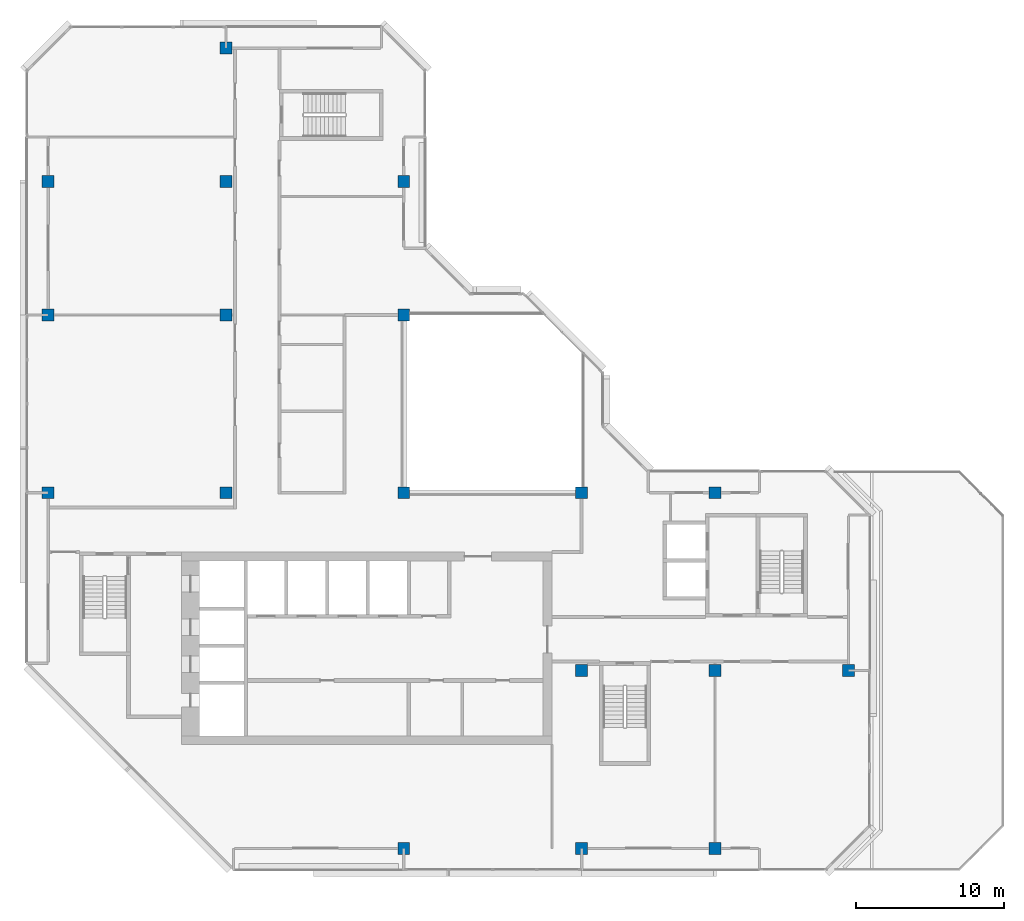
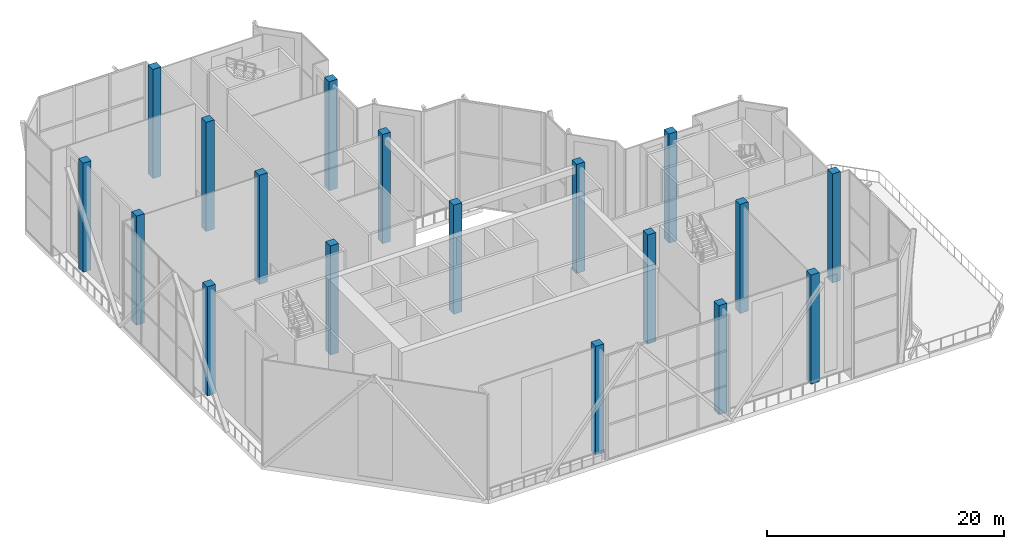
# One storey, part 1 of 16: 18 columns.
"""IFC4 building model written with IfcOpenShell, lengths in metres."""

from ifc_helpers import new_model, si_unit, direction, frame, origin, origin_2d, place, context, subcontext, project, spatial, rectangle, extrude, material, material_profile, profile_set, type_object, element, save


model = new_model("IFC4")

# Units and contexts
model_context = context("Model", 3, precision=1e-05, world=origin(), true_north=direction((0.0, 1.0)))
body_context = subcontext(model_context, "Body", "Model", "MODEL_VIEW")
ifc_project = project(units=[si_unit("LENGTHUNIT", "METRE"), si_unit("AREAUNIT", "SQUARE_METRE"), si_unit("VOLUMEUNIT", "CUBIC_METRE"), si_unit("PLANEANGLEUNIT", "RADIAN"), si_unit("MASSUNIT", "GRAM", prefix="KILO")], contexts=[model_context])

# Site, building, storey
site_placement = place(None, origin())
site = spatial("IfcSite", under=ifc_project, at=site_placement, CompositionType="ELEMENT")
building_placement = place(site_placement, origin())
building = spatial("IfcBuilding", under=site, at=building_placement, Name="Chenar Terraces", CompositionType="ELEMENT")
storey_placement = place(building_placement, frame((0.0, 0.0, 327.64990234375)))
storey = spatial("IfcBuildingStorey", under=building, at=storey_placement, Name="L77", CompositionType="ELEMENT", Elevation=327.64990234375)

# Columns
ifc_material = material(Name="Concrete C50/60", Category="concrete")
ifc_material_profile = material_profile(ifc_material, rectangle(XDim=0.800048828125, YDim=0.800048828125, at=origin_2d()), Name="C 800 x 800")
ifc_profile_set = profile_set([ifc_material_profile], Name="Concrete C50/60")
column_type = type_object("IfcColumnType", Name="Column C 800 x 800 Concrete C50/60", PredefinedType="COLUMN", material=ifc_profile_set)
column_1_placement = place(storey_placement, frame((0.0, 24.0, 0.0), z_axis=(0.0, 0.0, 1.0), x_axis=(1.0, 0.0, 0.0)))
element("IfcColumn", 1, at=column_1_placement, inside=storey, type_object=column_type, Name="Column 5/G L77", PredefinedType="COLUMN", context=body_context, shape_type="SweptSolid", body=[
    extrude(rectangle(XDim=0.800048828125, YDim=0.800048828125, at=origin_2d()), origin(), (0.0, 0.0, 1.0), 11.25),
])
column_2_placement = place(storey_placement, frame((0.0, 36.0, 0.0), z_axis=(0.0, 0.0, 1.0), x_axis=(1.0, 0.0, 0.0)))
element("IfcColumn", 2, at=column_2_placement, inside=storey, type_object=column_type, Name="Column 5/H L77", PredefinedType="COLUMN", context=body_context, shape_type="SweptSolid", body=[
    extrude(rectangle(XDim=0.800048828125, YDim=0.800048828125, at=origin_2d()), origin(), (0.0, 0.0, 1.0), 11.25),
])
for number, where, z_axis, x_axis, name in (
    (3, (0.0, 45.0, 0.0), (0.0, 0.0, 1.0), (1.0, 0.0, 0.0), "Column 5/J L77"),
    (4, (12.0, 24.0, 0.0), (0.0, 0.0, 1.0), (1.0, 0.0, 0.0), "Column 6/G L77"),
    (5, (12.0, 36.0, 0.0), (0.0, 0.0, 1.0), (1.0, 0.0, 0.0), "Column 6/H L77"),
    (6, (12.0, 45.0, 0.0), (0.0, 0.0, 1.0), (1.0, 0.0, 0.0), "Column 6/J L77"),
    (7, (12.0, 54.0, 0.0), (0.0, 0.0, 1.0), (1.0, 0.0, 0.0), "Column 6/K L77"),
    (8, (24.0, 0.0, 0.0), (0.0, 0.0, 1.0), (1.0, 0.0, 0.0), "Column 7/E L77"),
    (9, (24.0, 24.0, 0.0), (0.0, 0.0, 1.0), (1.0, 0.0, 0.0), "Column 7/G L77"),
    (10, (24.0, 36.0, 0.0), (0.0, 0.0, 1.0), (1.0, 0.0, 0.0), "Column 7/H L77"),
    (11, (24.0, 45.0, 0.0), (0.0, 0.0, 1.0), (1.0, 0.0, 0.0), "Column 7/J L77"),
    (12, (36.0, 0.0, 0.0), (0.0, 0.0, 1.0), (1.0, 0.0, 0.0), "Column 8/E L77"),
    (13, (36.0, 12.0, 0.0), (0.0, 0.0, 1.0), (1.0, 0.0, 0.0), "Column 8/F L77"),
    (14, (36.0, 24.0, 0.0), (0.0, 0.0, 1.0), (1.0, 0.0, 0.0), "Column 8/G L77"),
    (15, (45.0, 0.0, 0.0), (0.0, 0.0, 1.0), (1.0, 0.0, 0.0), "Column 9/E L77"),
    (16, (45.0, 12.0, 0.0), (0.0, 0.0, 1.0), (1.0, 0.0, 0.0), "Column 9/F L77"),
    (17, (45.0, 24.0, 0.0), (0.0, 0.0, 1.0), (1.0, 0.0, 0.0), "Column 9/G L77"),
    (18, (54.0, 12.0, 0.0), (0.0, 0.0, 1.0), (1.0, 0.0, 0.0), "Column 10/F L77"),
):
    element("IfcColumn", number, at=place(storey_placement, frame(where, z_axis=z_axis, x_axis=x_axis)), inside=storey, type_object=column_type, Name=name, PredefinedType="COLUMN", context=body_context, shape_type="SweptSolid", body=[
        extrude(rectangle(XDim=0.800048828125, YDim=0.800048828125, at=origin_2d()), origin(), (0.0, 0.0, 1.0), 11.25),
    ])

save(model, "model.ifc")
